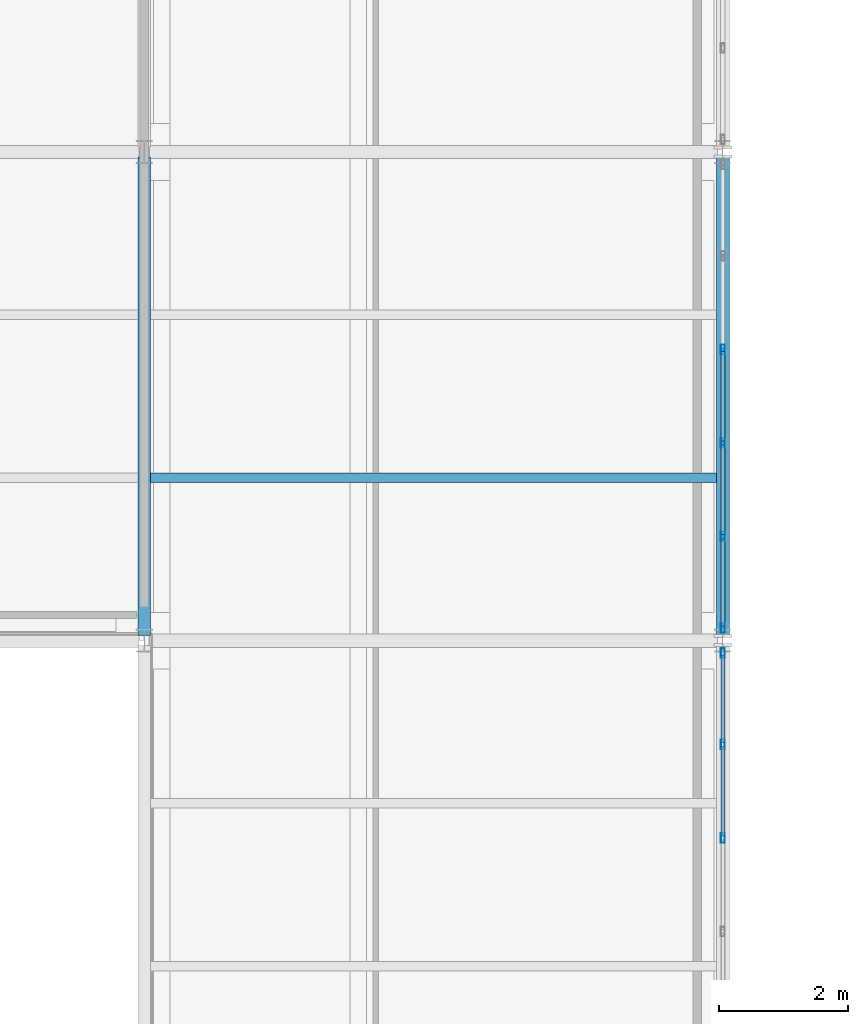
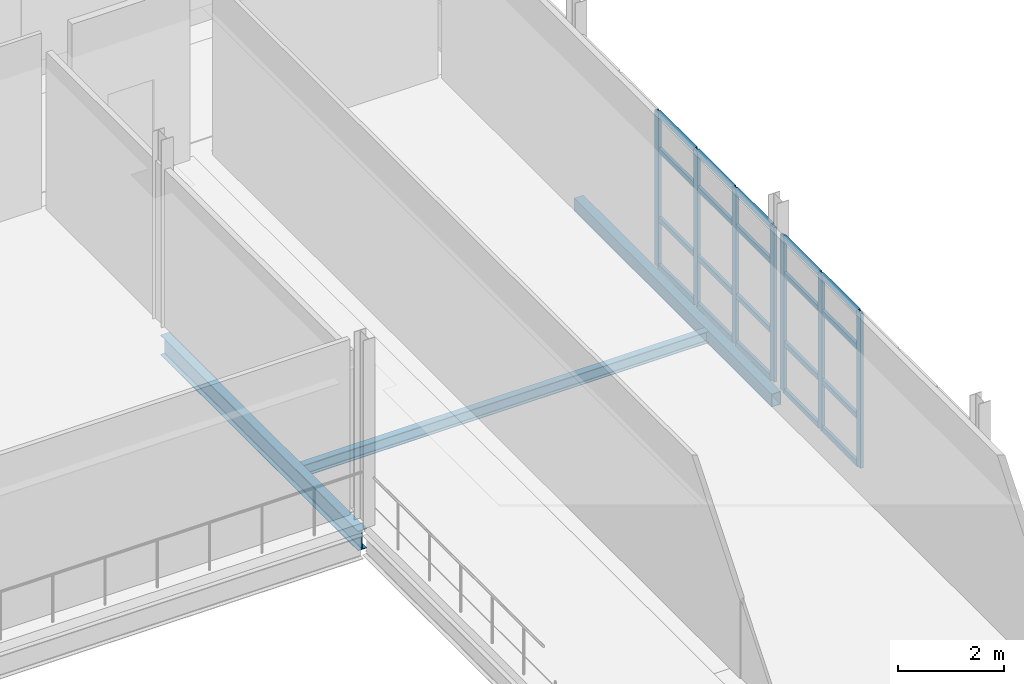
# One storey, part 123 of 174: 27 members, 3 beams, 2 elements without a shape of their own.
"""IFC4 building model written with IfcOpenShell, lengths in metres."""

from ifc_helpers import new_model, si_unit, direction, frame, origin, origin_2d, place, context, subcontext, project, spatial, hollow_rectangle, i_section, extrude, material, material_profile, profile_set, type_object, element, aggregate, save


model = new_model("IFC4")

# Units and contexts
model_context = context("Model", 3, precision=1e-05, world=origin(), true_north=direction((0.0, 1.0)))
body_context = subcontext(model_context, "Body", "Model", "MODEL_VIEW")
ifc_project = project(units=[si_unit("LENGTHUNIT", "METRE"), si_unit("AREAUNIT", "SQUARE_METRE"), si_unit("VOLUMEUNIT", "CUBIC_METRE"), si_unit("PLANEANGLEUNIT", "RADIAN"), si_unit("MASSUNIT", "GRAM", prefix="KILO")], contexts=[model_context])

# Site, building, storey
site_placement = place(None, origin())
site = spatial("IfcSite", under=ifc_project, at=site_placement, CompositionType="ELEMENT")
building_placement = place(site_placement, origin())
building = spatial("IfcBuilding", under=site, at=building_placement, Name="Caisbarro Railhouse Central Library", CompositionType="ELEMENT")
storey_placement = place(building_placement, frame((0.0, 0.0, 5.0400390625)))
storey = spatial("IfcBuildingStorey", under=building, at=storey_placement, Name="L01", CompositionType="ELEMENT", Elevation=5.0400390625)

# Beams
ifc_material_1 = material(Name="Steel ASTM A572 Grade 50", Category="steel")
ifc_material_profile_1 = material_profile(ifc_material_1, i_section(OverallWidth=0.18994140625, OverallDepth=0.45703125, WebThickness=0.009033203125, FlangeThickness=0.014404296875, FilletRadius=0.01806640625, at=origin_2d()), Name="W460X74.0")
ifc_profile_set_1 = profile_set([ifc_material_profile_1], Name="Steel ASTM A572 Grade 50")
beam_type_1 = type_object("IfcBeamType", Name="BM-G08", PredefinedType="BEAM", material=ifc_profile_set_1)
beam_1_placement = place(storey_placement, frame((144.0, 91.280029296875, -0.448486328125), z_axis=(0.0, 1.0, 0.0), x_axis=(-1.0, 0.0, 0.0)))
element("IfcBeam", 1, at=beam_1_placement, inside=storey, type_object=beam_type_1, Name="G08 beam L01 #954", PredefinedType="BEAM", context=body_context, shape_type="SweptSolid", body=[
    extrude(i_section(OverallWidth=0.18994140625, OverallDepth=0.45703125, WebThickness=0.009033203125, FlangeThickness=0.014404296875, FilletRadius=0.01806640625, at=origin_2d()), origin(), (0.0, 0.0, 1.0), 7.43994140625),
])
ifc_material_profile_2 = material_profile(ifc_material_1, i_section(OverallWidth=0.14794921875, OverallDepth=0.26611328125, WebThickness=0.007568359375, FlangeThickness=0.012939453125, FilletRadius=0.010009765625, at=origin_2d()), Name="W250X44.8")
ifc_profile_set_2 = profile_set([ifc_material_profile_2], Name="Steel ASTM A572 Grade 50")
beam_type_2 = type_object("IfcBeamType", Name="BM-J04", PredefinedType="JOIST", material=ifc_profile_set_2)
beam_2_placement = place(storey_placement, frame((144.094970703125, 93.7333984375, -0.35302734375), z_axis=(1.0, 0.0, 0.0), x_axis=(0.0, 1.0, 0.0)))
element("IfcBeam", 2, at=beam_2_placement, inside=storey, type_object=beam_type_2, Name="J04 beam L01 #1002", PredefinedType="JOIST", context=body_context, shape_type="SweptSolid", body=[
    extrude(i_section(OverallWidth=0.14794921875, OverallDepth=0.26611328125, WebThickness=0.007568359375, FlangeThickness=0.012939453125, FilletRadius=0.010009765625, at=origin_2d()), origin(), (0.0, 0.0, 1.0), 8.804931640625),
])
ifc_material_profile_3 = material_profile(ifc_material_1, hollow_rectangle(XDim=0.199951171875, YDim=0.300048828125, WallThickness=0.012451171875, at=origin_2d()), Name="HSS300X200X12.5")
ifc_profile_set_3 = profile_set([ifc_material_profile_3], Name="Steel ASTM A572 Grade 50")
beam_type_3 = type_object("IfcBeamType", Name="BM-SP02", PredefinedType="SPANDREL", material=ifc_profile_set_3)
beam_3_placement = place(storey_placement, frame((153.0, 91.280029296875, -0.3701171875), z_axis=(0.0, 1.0, 0.0), x_axis=(-1.0, 0.0, 0.0)))
element("IfcBeam", 3, at=beam_3_placement, inside=storey, type_object=beam_type_3, Name="SP02 beam L01 #961", PredefinedType="SPANDREL", context=body_context, shape_type="SweptSolid", body=[
    extrude(hollow_rectangle(XDim=0.199951171875, YDim=0.300048828125, WallThickness=0.012451171875, at=origin_2d()), origin(), (0.0, 0.0, 1.0), 7.43994140625),
])

# Curtain wall, members
ifc_material_2 = material(Name="Anodised architectural aluminium", Category="aluminium")
curtain_wall_type = type_object("IfcCurtainWallType", Name="CW-CW03", PredefinedType="NOTDEFINED", material=ifc_material_2)
curtain_wall_1_placement = place(storey_placement, origin())
curtain_wall_1 = element("IfcCurtainWall", 4, at=curtain_wall_1_placement, inside=storey, type_object=curtain_wall_type, Name="CW03 curtain wall L01 #123", PredefinedType="NOTDEFINED")
ifc_material_profile_4 = material_profile(ifc_material_2, hollow_rectangle(XDim=0.06494140625, YDim=0.14990234375, WallThickness=0.00390625, at=origin_2d()), Name="ALU-MUL-65X150")
ifc_profile_set_4 = profile_set([ifc_material_profile_4], Name="Anodised architectural aluminium")
member_type_1 = type_object("IfcMemberType", Name="CWM-M02", PredefinedType="MULLION", material=ifc_profile_set_4)
member_1_placement = place(storey_placement, frame((153.0, 88.1279296875, 0.0), z_axis=(0.0, 0.0, 1.0), x_axis=(-1.0, 0.0, 0.0)))
member_1 = element("IfcMember", 5, at=member_1_placement, type_object=member_type_1, Name="CW03 mullion 4", PredefinedType="MULLION", context=body_context, shape_type="SweptSolid", body=[
    extrude(hollow_rectangle(XDim=0.06494140625, YDim=0.14990234375, WallThickness=0.00390625, at=origin_2d()), origin(), (0.0, 0.0, 1.0), 3.56005859375),
])
member_2_placement = place(storey_placement, frame((153.0, 89.583984375, 0.0), z_axis=(0.0, 0.0, 1.0), x_axis=(-1.0, 0.0, 0.0)))
member_2 = element("IfcMember", 6, at=member_2_placement, type_object=member_type_1, Name="CW03 mullion 5", PredefinedType="MULLION", context=body_context, shape_type="SweptSolid", body=[
    extrude(hollow_rectangle(XDim=0.06494140625, YDim=0.14990234375, WallThickness=0.00390625, at=origin_2d()), origin(), (0.0, 0.0, 1.0), 3.56005859375),
])
member_3_placement = place(storey_placement, frame((153.0, 91.007568359375, 0.0), z_axis=(0.0, 0.0, 1.0), x_axis=(-1.0, 0.0, 0.0)))
member_3 = element("IfcMember", 7, at=member_3_placement, type_object=member_type_1, Name="CW03 mullion 6", PredefinedType="MULLION", context=body_context, shape_type="SweptSolid", body=[
    extrude(hollow_rectangle(XDim=0.06494140625, YDim=0.14990234375, WallThickness=0.00390625, at=origin_2d()), origin(), (0.0, 0.0, 1.0), 3.56005859375),
])

curtain_wall_2_placement = place(storey_placement, origin())
curtain_wall_2 = element("IfcCurtainWall", 8, at=curtain_wall_2_placement, inside=storey, type_object=curtain_wall_type, Name="CW03 curtain wall L01 #124", PredefinedType="NOTDEFINED")
member_4_placement = place(storey_placement, frame((153.0, 91.392578125, 0.0), z_axis=(0.0, 0.0, 1.0), x_axis=(-1.0, 0.0, 0.0)))
member_4 = element("IfcMember", 9, at=member_4_placement, type_object=member_type_1, Name="CW03 mullion 1", PredefinedType="MULLION", context=body_context, shape_type="SweptSolid", body=[
    extrude(hollow_rectangle(XDim=0.06494140625, YDim=0.14990234375, WallThickness=0.00390625, at=origin_2d()), origin(), (0.0, 0.0, 1.0), 3.56005859375),
])
member_5_placement = place(storey_placement, frame((153.0, 92.81591796875, 0.0), z_axis=(0.0, 0.0, 1.0), x_axis=(-1.0, 0.0, 0.0)))
member_5 = element("IfcMember", 10, at=member_5_placement, type_object=member_type_1, Name="CW03 mullion 2", PredefinedType="MULLION", context=body_context, shape_type="SweptSolid", body=[
    extrude(hollow_rectangle(XDim=0.06494140625, YDim=0.14990234375, WallThickness=0.00390625, at=origin_2d()), origin(), (0.0, 0.0, 1.0), 3.56005859375),
])
member_6_placement = place(storey_placement, frame((153.0, 94.27197265625, 0.0), z_axis=(0.0, 0.0, 1.0), x_axis=(-1.0, 0.0, 0.0)))
member_6 = element("IfcMember", 11, at=member_6_placement, type_object=member_type_1, Name="CW03 mullion 3", PredefinedType="MULLION", context=body_context, shape_type="SweptSolid", body=[
    extrude(hollow_rectangle(XDim=0.06494140625, YDim=0.14990234375, WallThickness=0.00390625, at=origin_2d()), origin(), (0.0, 0.0, 1.0), 3.56005859375),
])
member_7_placement = place(storey_placement, frame((153.0, 95.72802734375, 0.0), z_axis=(0.0, 0.0, 1.0), x_axis=(-1.0, 0.0, 0.0)))
member_7 = element("IfcMember", 12, at=member_7_placement, type_object=member_type_1, Name="CW03 mullion 4", PredefinedType="MULLION", context=body_context, shape_type="SweptSolid", body=[
    extrude(hollow_rectangle(XDim=0.06494140625, YDim=0.14990234375, WallThickness=0.00390625, at=origin_2d()), origin(), (0.0, 0.0, 1.0), 3.56005859375),
])

# Member
ifc_material_profile_5 = material_profile(ifc_material_2, hollow_rectangle(XDim=0.06494140625, YDim=0.1201171875, WallThickness=0.00341796875, at=origin_2d()), Name="ALU-TRN-65X120")
ifc_profile_set_5 = profile_set([ifc_material_profile_5], Name="Anodised architectural aluminium")
member_type_2 = type_object("IfcMemberType", Name="CWT-T02", PredefinedType="USERDEFINED", material=ifc_profile_set_5)
member_8_placement = place(storey_placement, frame((153.0, 88.160400390625, 0.032470703125), z_axis=(0.0, 1.0, 0.0), x_axis=(-1.0, 0.0, 0.0)))
member_8 = element("IfcMember", 13, at=member_8_placement, type_object=member_type_2, Name="CW03 transom 4.1", ObjectType="TRANSOM", PredefinedType="USERDEFINED", context=body_context, shape_type="SweptSolid", body=[
    extrude(hollow_rectangle(XDim=0.06494140625, YDim=0.1201171875, WallThickness=0.00341796875, at=origin_2d()), origin(), (0.0, 0.0, 1.0), 1.39111328125),
])

member_9_placement = place(storey_placement, frame((153.0, 88.160400390625, 1.119873046875), z_axis=(0.0, 1.0, 0.0), x_axis=(-1.0, 0.0, 0.0)))
member_9 = element("IfcMember", 14, at=member_9_placement, type_object=member_type_2, Name="CW03 transom 4.2", ObjectType="TRANSOM", PredefinedType="USERDEFINED", context=body_context, shape_type="SweptSolid", body=[
    extrude(hollow_rectangle(XDim=0.06494140625, YDim=0.1201171875, WallThickness=0.00341796875, at=origin_2d()), origin(), (0.0, 0.0, 1.0), 1.39111328125),
])

member_10_placement = place(storey_placement, frame((153.0, 88.160400390625, 2.7099609375), z_axis=(0.0, 1.0, 0.0), x_axis=(-1.0, 0.0, 0.0)))
member_10 = element("IfcMember", 15, at=member_10_placement, type_object=member_type_2, Name="CW03 transom 4.3", ObjectType="TRANSOM", PredefinedType="USERDEFINED", context=body_context, shape_type="SweptSolid", body=[
    extrude(hollow_rectangle(XDim=0.06494140625, YDim=0.1201171875, WallThickness=0.00341796875, at=origin_2d()), origin(), (0.0, 0.0, 1.0), 1.39111328125),
])

member_11_placement = place(storey_placement, frame((153.0, 88.160400390625, 3.52734375), z_axis=(0.0, 1.0, 0.0), x_axis=(-1.0, 0.0, 0.0)))
member_11 = element("IfcMember", 16, at=member_11_placement, type_object=member_type_2, Name="CW03 transom 4.4", ObjectType="TRANSOM", PredefinedType="USERDEFINED", context=body_context, shape_type="SweptSolid", body=[
    extrude(hollow_rectangle(XDim=0.06494140625, YDim=0.1201171875, WallThickness=0.00341796875, at=origin_2d()), origin(), (0.0, 0.0, 1.0), 1.39111328125),
])

member_12_placement = place(storey_placement, frame((153.0, 89.616455078125, 0.032470703125), z_axis=(0.0, 1.0, 0.0), x_axis=(-1.0, 0.0, 0.0)))
member_12 = element("IfcMember", 17, at=member_12_placement, type_object=member_type_2, Name="CW03 transom 5.1", ObjectType="TRANSOM", PredefinedType="USERDEFINED", context=body_context, shape_type="SweptSolid", body=[
    extrude(hollow_rectangle(XDim=0.06494140625, YDim=0.1201171875, WallThickness=0.00341796875, at=origin_2d()), origin(), (0.0, 0.0, 1.0), 1.358642578125),
])

member_13_placement = place(storey_placement, frame((153.0, 89.616455078125, 1.119873046875), z_axis=(0.0, 1.0, 0.0), x_axis=(-1.0, 0.0, 0.0)))
member_13 = element("IfcMember", 18, at=member_13_placement, type_object=member_type_2, Name="CW03 transom 5.2", ObjectType="TRANSOM", PredefinedType="USERDEFINED", context=body_context, shape_type="SweptSolid", body=[
    extrude(hollow_rectangle(XDim=0.06494140625, YDim=0.1201171875, WallThickness=0.00341796875, at=origin_2d()), origin(), (0.0, 0.0, 1.0), 1.358642578125),
])

member_14_placement = place(storey_placement, frame((153.0, 89.616455078125, 2.7099609375), z_axis=(0.0, 1.0, 0.0), x_axis=(-1.0, 0.0, 0.0)))
member_14 = element("IfcMember", 19, at=member_14_placement, type_object=member_type_2, Name="CW03 transom 5.3", ObjectType="TRANSOM", PredefinedType="USERDEFINED", context=body_context, shape_type="SweptSolid", body=[
    extrude(hollow_rectangle(XDim=0.06494140625, YDim=0.1201171875, WallThickness=0.00341796875, at=origin_2d()), origin(), (0.0, 0.0, 1.0), 1.358642578125),
])

member_15_placement = place(storey_placement, frame((153.0, 89.616455078125, 3.52734375), z_axis=(0.0, 1.0, 0.0), x_axis=(-1.0, 0.0, 0.0)))
member_15 = element("IfcMember", 20, at=member_15_placement, type_object=member_type_2, Name="CW03 transom 5.4", ObjectType="TRANSOM", PredefinedType="USERDEFINED", context=body_context, shape_type="SweptSolid", body=[
    extrude(hollow_rectangle(XDim=0.06494140625, YDim=0.1201171875, WallThickness=0.00341796875, at=origin_2d()), origin(), (0.0, 0.0, 1.0), 1.358642578125),
])

aggregate(curtain_wall_1, [member_1, member_2, member_3, member_8, member_9, member_10, member_11, member_12, member_13, member_14, member_15])

member_16_placement = place(storey_placement, frame((153.0, 91.425048828125, 0.032470703125), z_axis=(0.0, 1.0, 0.0), x_axis=(-1.0, 0.0, 0.0)))
member_16 = element("IfcMember", 21, at=member_16_placement, type_object=member_type_2, Name="CW03 transom 1.1", ObjectType="TRANSOM", PredefinedType="USERDEFINED", context=body_context, shape_type="SweptSolid", body=[
    extrude(hollow_rectangle(XDim=0.06494140625, YDim=0.1201171875, WallThickness=0.00341796875, at=origin_2d()), origin(), (0.0, 0.0, 1.0), 1.3583984375),
])

member_17_placement = place(storey_placement, frame((153.0, 91.425048828125, 1.119873046875), z_axis=(0.0, 1.0, 0.0), x_axis=(-1.0, 0.0, 0.0)))
member_17 = element("IfcMember", 22, at=member_17_placement, type_object=member_type_2, Name="CW03 transom 1.2", ObjectType="TRANSOM", PredefinedType="USERDEFINED", context=body_context, shape_type="SweptSolid", body=[
    extrude(hollow_rectangle(XDim=0.06494140625, YDim=0.1201171875, WallThickness=0.00341796875, at=origin_2d()), origin(), (0.0, 0.0, 1.0), 1.3583984375),
])

member_18_placement = place(storey_placement, frame((153.0, 91.425048828125, 2.7099609375), z_axis=(0.0, 1.0, 0.0), x_axis=(-1.0, 0.0, 0.0)))
member_18 = element("IfcMember", 23, at=member_18_placement, type_object=member_type_2, Name="CW03 transom 1.3", ObjectType="TRANSOM", PredefinedType="USERDEFINED", context=body_context, shape_type="SweptSolid", body=[
    extrude(hollow_rectangle(XDim=0.06494140625, YDim=0.1201171875, WallThickness=0.00341796875, at=origin_2d()), origin(), (0.0, 0.0, 1.0), 1.3583984375),
])

member_19_placement = place(storey_placement, frame((153.0, 91.425048828125, 3.52734375), z_axis=(0.0, 1.0, 0.0), x_axis=(-1.0, 0.0, 0.0)))
member_19 = element("IfcMember", 24, at=member_19_placement, type_object=member_type_2, Name="CW03 transom 1.4", ObjectType="TRANSOM", PredefinedType="USERDEFINED", context=body_context, shape_type="SweptSolid", body=[
    extrude(hollow_rectangle(XDim=0.06494140625, YDim=0.1201171875, WallThickness=0.00341796875, at=origin_2d()), origin(), (0.0, 0.0, 1.0), 1.3583984375),
])

member_20_placement = place(storey_placement, frame((153.0, 92.848388671875, 0.032470703125), z_axis=(0.0, 1.0, 0.0), x_axis=(-1.0, 0.0, 0.0)))
member_20 = element("IfcMember", 25, at=member_20_placement, type_object=member_type_2, Name="CW03 transom 2.1", ObjectType="TRANSOM", PredefinedType="USERDEFINED", context=body_context, shape_type="SweptSolid", body=[
    extrude(hollow_rectangle(XDim=0.06494140625, YDim=0.1201171875, WallThickness=0.00341796875, at=origin_2d()), origin(), (0.0, 0.0, 1.0), 1.39111328125),
])

member_21_placement = place(storey_placement, frame((153.0, 92.848388671875, 1.119873046875), z_axis=(0.0, 1.0, 0.0), x_axis=(-1.0, 0.0, 0.0)))
member_21 = element("IfcMember", 26, at=member_21_placement, type_object=member_type_2, Name="CW03 transom 2.2", ObjectType="TRANSOM", PredefinedType="USERDEFINED", context=body_context, shape_type="SweptSolid", body=[
    extrude(hollow_rectangle(XDim=0.06494140625, YDim=0.1201171875, WallThickness=0.00341796875, at=origin_2d()), origin(), (0.0, 0.0, 1.0), 1.39111328125),
])

member_22_placement = place(storey_placement, frame((153.0, 92.848388671875, 2.7099609375), z_axis=(0.0, 1.0, 0.0), x_axis=(-1.0, 0.0, 0.0)))
member_22 = element("IfcMember", 27, at=member_22_placement, type_object=member_type_2, Name="CW03 transom 2.3", ObjectType="TRANSOM", PredefinedType="USERDEFINED", context=body_context, shape_type="SweptSolid", body=[
    extrude(hollow_rectangle(XDim=0.06494140625, YDim=0.1201171875, WallThickness=0.00341796875, at=origin_2d()), origin(), (0.0, 0.0, 1.0), 1.39111328125),
])

member_23_placement = place(storey_placement, frame((153.0, 92.848388671875, 3.52734375), z_axis=(0.0, 1.0, 0.0), x_axis=(-1.0, 0.0, 0.0)))
member_23 = element("IfcMember", 28, at=member_23_placement, type_object=member_type_2, Name="CW03 transom 2.4", ObjectType="TRANSOM", PredefinedType="USERDEFINED", context=body_context, shape_type="SweptSolid", body=[
    extrude(hollow_rectangle(XDim=0.06494140625, YDim=0.1201171875, WallThickness=0.00341796875, at=origin_2d()), origin(), (0.0, 0.0, 1.0), 1.39111328125),
])

member_24_placement = place(storey_placement, frame((153.0, 94.304443359375, 0.032470703125), z_axis=(0.0, 1.0, 0.0), x_axis=(-1.0, 0.0, 0.0)))
member_24 = element("IfcMember", 29, at=member_24_placement, type_object=member_type_2, Name="CW03 transom 3.1", ObjectType="TRANSOM", PredefinedType="USERDEFINED", context=body_context, shape_type="SweptSolid", body=[
    extrude(hollow_rectangle(XDim=0.06494140625, YDim=0.1201171875, WallThickness=0.00341796875, at=origin_2d()), origin(), (0.0, 0.0, 1.0), 1.39111328125),
])

member_25_placement = place(storey_placement, frame((153.0, 94.304443359375, 1.119873046875), z_axis=(0.0, 1.0, 0.0), x_axis=(-1.0, 0.0, 0.0)))
member_25 = element("IfcMember", 30, at=member_25_placement, type_object=member_type_2, Name="CW03 transom 3.2", ObjectType="TRANSOM", PredefinedType="USERDEFINED", context=body_context, shape_type="SweptSolid", body=[
    extrude(hollow_rectangle(XDim=0.06494140625, YDim=0.1201171875, WallThickness=0.00341796875, at=origin_2d()), origin(), (0.0, 0.0, 1.0), 1.39111328125),
])

member_26_placement = place(storey_placement, frame((153.0, 94.304443359375, 2.7099609375), z_axis=(0.0, 1.0, 0.0), x_axis=(-1.0, 0.0, 0.0)))
member_26 = element("IfcMember", 31, at=member_26_placement, type_object=member_type_2, Name="CW03 transom 3.3", ObjectType="TRANSOM", PredefinedType="USERDEFINED", context=body_context, shape_type="SweptSolid", body=[
    extrude(hollow_rectangle(XDim=0.06494140625, YDim=0.1201171875, WallThickness=0.00341796875, at=origin_2d()), origin(), (0.0, 0.0, 1.0), 1.39111328125),
])

member_27_placement = place(storey_placement, frame((153.0, 94.304443359375, 3.52734375), z_axis=(0.0, 1.0, 0.0), x_axis=(-1.0, 0.0, 0.0)))
member_27 = element("IfcMember", 32, at=member_27_placement, type_object=member_type_2, Name="CW03 transom 3.4", ObjectType="TRANSOM", PredefinedType="USERDEFINED", context=body_context, shape_type="SweptSolid", body=[
    extrude(hollow_rectangle(XDim=0.06494140625, YDim=0.1201171875, WallThickness=0.00341796875, at=origin_2d()), origin(), (0.0, 0.0, 1.0), 1.39111328125),
])

aggregate(curtain_wall_2, [member_4, member_5, member_6, member_7, member_16, member_17, member_18, member_19, member_20, member_21, member_22, member_23, member_24, member_25, member_26, member_27])

save(model, "model.ifc")
